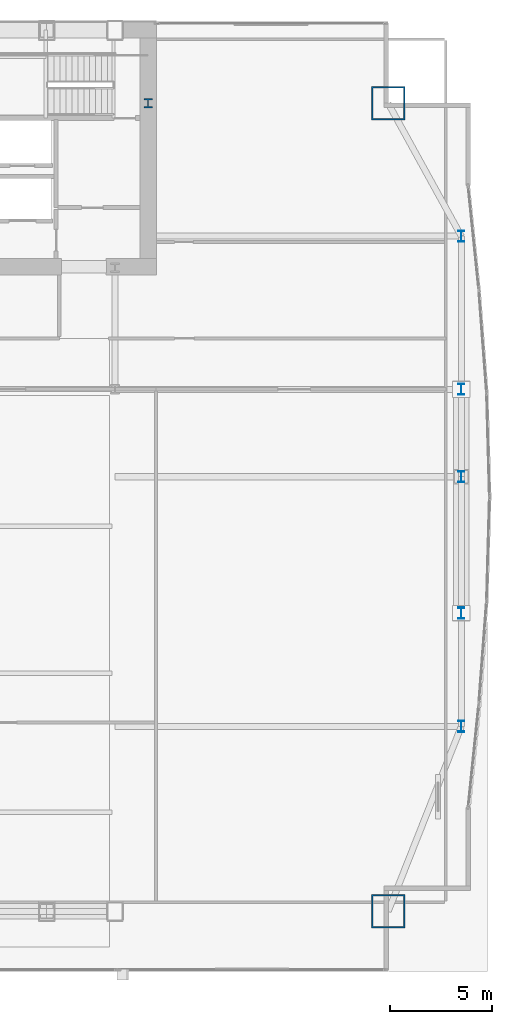
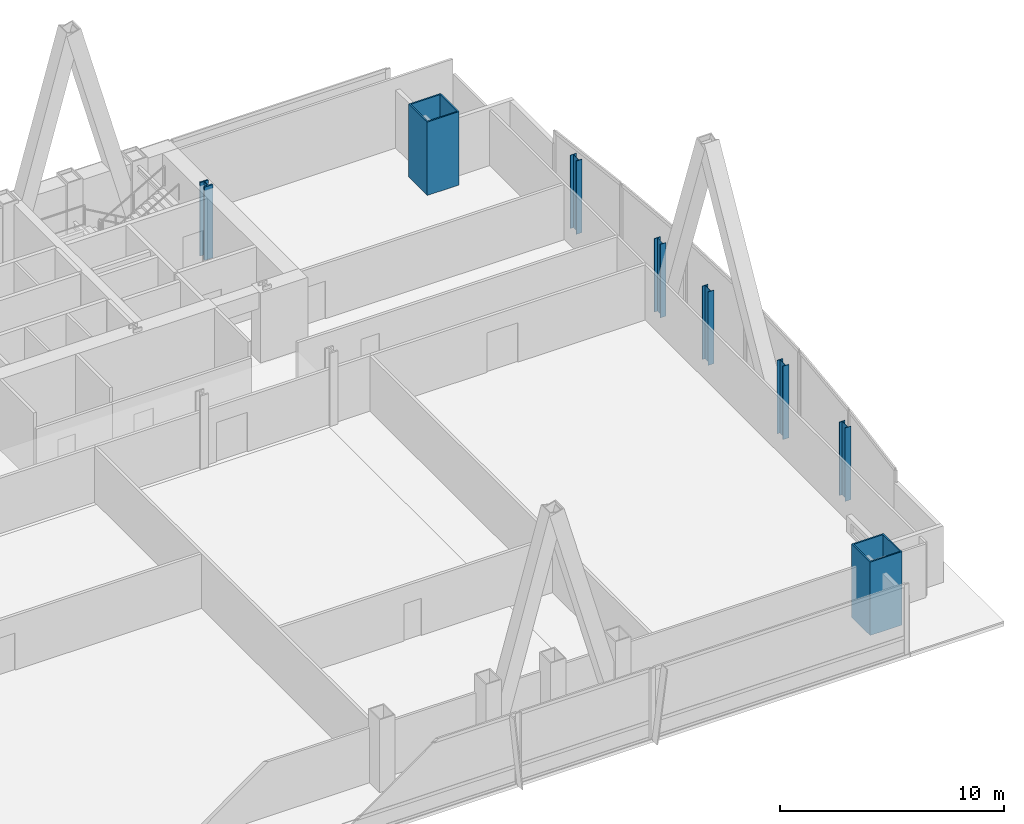
# One storey, part 4 of 35: 8 columns.
"""IFC4 building model written with IfcOpenShell, lengths in metres."""

from ifc_helpers import new_model, si_unit, direction, frame, origin, origin_2d, place, context, subcontext, project, spatial, hollow_rectangle, i_section, extrude, material, material_profile, profile_set, type_object, element, save


model = new_model("IFC4")

# Units and contexts
model_context = context("Model", 3, precision=1e-05, world=origin(), true_north=direction((0.0, 1.0)))
body_context = subcontext(model_context, "Body", "Model", "MODEL_VIEW")
ifc_project = project(units=[si_unit("LENGTHUNIT", "METRE"), si_unit("AREAUNIT", "SQUARE_METRE"), si_unit("VOLUMEUNIT", "CUBIC_METRE"), si_unit("PLANEANGLEUNIT", "RADIAN"), si_unit("MASSUNIT", "GRAM", prefix="KILO")], contexts=[model_context])

# Site, building, storey
site_placement = place(None, origin())
site = spatial("IfcSite", under=ifc_project, at=site_placement, CompositionType="ELEMENT")
building_placement = place(site_placement, origin())
building = spatial("IfcBuilding", under=site, at=building_placement, Name="Khoronbel Lancet Exchange", CompositionType="ELEMENT")
storey_placement = place(building_placement, frame((0.0, 0.0, 25.800048828125)))
storey = spatial("IfcBuildingStorey", under=building, at=storey_placement, Name="L05", CompositionType="ELEMENT", Elevation=25.800048828125)

# Columns
ifc_material_1 = material(Name="Steel S460", Category="steel")
ifc_material_profile_1 = material_profile(ifc_material_1, i_section(OverallWidth=0.424072265625, OverallDepth=0.47412109375, WebThickness=0.047607421875, FlangeThickness=0.076904296875, at=origin_2d()), Name="HD 400x634")
ifc_profile_set_1 = profile_set([ifc_material_profile_1], Name="Steel S460")
column_type_1 = type_object("IfcColumnType", Name="COL-IC1", PredefinedType="COLUMN", material=ifc_profile_set_1)
column_placement = place(storey_placement, frame((56.300048828125, 49.699951171875, 0.0), z_axis=(0.0, 0.0, 1.0), x_axis=(1.0, 0.0, 0.0)))
element("IfcColumn", 1, at=column_placement, inside=storey, type_object=column_type_1, Name="Core-flank plumb transfer column CFE L05", PredefinedType="COLUMN", context=body_context, shape_type="SweptSolid", body=[
    extrude(i_section(OverallWidth=0.424072265625, OverallDepth=0.47412109375, WebThickness=0.047607421875, FlangeThickness=0.076904296875, at=origin_2d()), origin(), (0.0, 0.0, 1.0), 4.0),
])
ifc_material_2 = material(Name="Steel S355", Category="steel")
ifc_material_profile_2 = material_profile(ifc_material_2, i_section(OverallWidth=0.300048828125, OverallDepth=0.550048828125, WebThickness=0.014892578125, FlangeThickness=0.029052734375, at=origin_2d()), Name="HEB 550")
ifc_profile_set_2 = profile_set([ifc_material_profile_2], Name="Steel S355")
column_type_2 = type_object("IfcColumnType", Name="COL-LC1", PredefinedType="COLUMN", material=ifc_profile_set_2)
for number, where, z_axis, x_axis, name in (
    (2, (71.6298828125, 19.199951171875, 0.0), (0.0, 0.0, 1.0), (1.0, 0.0, 0.0), "Structural column EC-1 L05"),
    (3, (71.6298828125, 24.75, 0.0), (0.0, 0.0, 1.0), (1.0, 0.0, 0.0), "Structural column EC-2 L05"),
    (4, (71.6298828125, 31.425048828125, 0.0), (0.0, 0.0, 1.0), (1.0, 0.0, 0.0), "Structural column EC-M L05"),
    (5, (71.6298828125, 35.699951171875, 0.0), (0.0, 0.0, 1.0), (1.0, 0.0, 0.0), "Structural column EC-3 L05"),
    (6, (71.6298828125, 43.199951171875, 0.0), (0.0, 0.0, 1.0), (1.0, 0.0, 0.0), "Structural column EC-4 L05"),
):
    element("IfcColumn", number, at=place(storey_placement, frame(where, z_axis=z_axis, x_axis=x_axis)), inside=storey, type_object=column_type_2, Name=name, PredefinedType="COLUMN", context=body_context, shape_type="SweptSolid", body=[
        extrude(i_section(OverallWidth=0.300048828125, OverallDepth=0.550048828125, WebThickness=0.014892578125, FlangeThickness=0.029052734375, at=origin_2d()), origin(), (0.0, 0.0, 1.0), 4.0),
    ])
ifc_material_profile_3 = material_profile(ifc_material_1, hollow_rectangle(XDim=1.64990234375, YDim=1.64990234375, WallThickness=0.074951171875, at=origin_2d()), Name="BOX 1650x1650x75")
ifc_profile_set_3 = profile_set([ifc_material_profile_3], Name="Steel S460")
column_type_3 = type_object("IfcColumnType", Name="COL-MC2", PredefinedType="COLUMN", material=ifc_profile_set_3)
for number, where, z_axis, x_axis, name in (
    (7, (68.050048828125, 10.14990234375, 0.0), (0.0, 0.0, 1.0), (1.0, 0.0, 0.0), "Structural column MC-SE L05"),
    (8, (68.050048828125, 49.699951171875, 0.0), (0.0, 0.0, 1.0), (1.0, 0.0, 0.0), "Structural column MC-NE L05"),
):
    element("IfcColumn", number, at=place(storey_placement, frame(where, z_axis=z_axis, x_axis=x_axis)), inside=storey, type_object=column_type_3, Name=name, PredefinedType="COLUMN", context=body_context, shape_type="SweptSolid", body=[
        extrude(hollow_rectangle(XDim=1.64990234375, YDim=1.64990234375, WallThickness=0.074951171875, at=origin_2d()), origin(), (0.0, 0.0, 1.0), 4.0),
    ])

save(model, "model.ifc")
